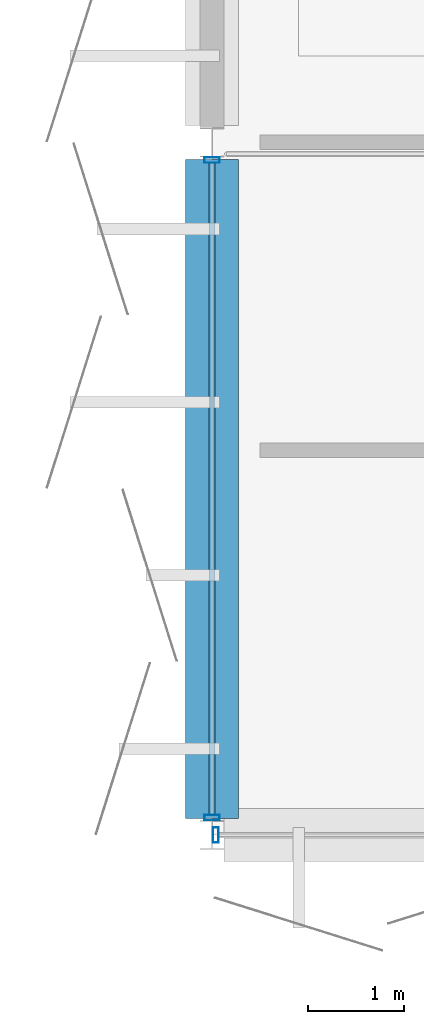
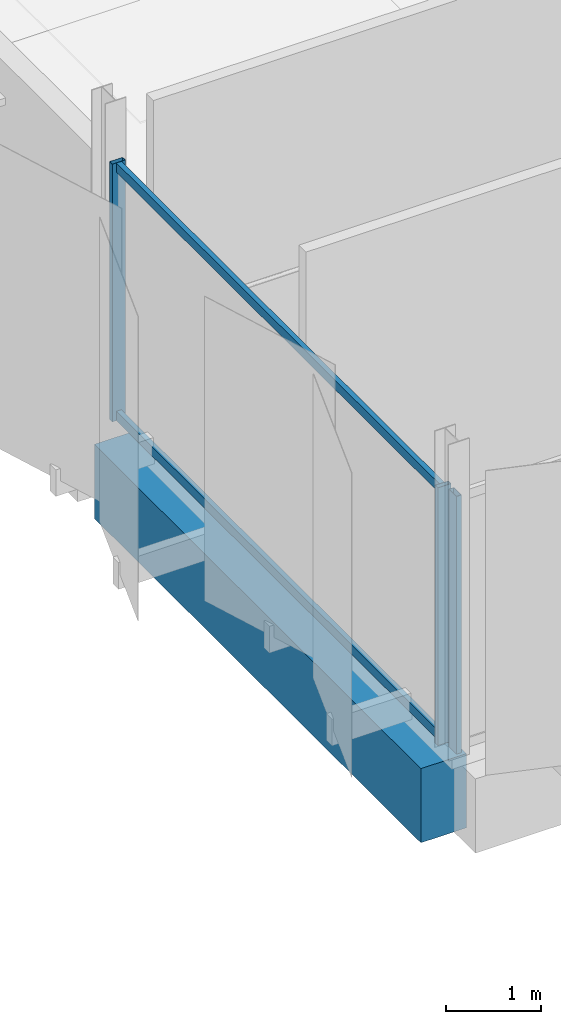
# One storey, part 21 of 77: 5 members, 1 beam, 2 elements without a shape of their own.
"""IFC4 building model written with IfcOpenShell, lengths in metres."""

from ifc_helpers import new_model, si_unit, direction, frame, origin, origin_2d, place, context, subcontext, project, spatial, rectangle, hollow_rectangle, extrude, material, layer, layer_set, material_profile, profile_set, type_object, element, aggregate, save


model = new_model("IFC4")

# Units and contexts
model_context = context("Model", 3, precision=1e-05, world=origin(), true_north=direction((0.0, 1.0)))
body_context = subcontext(model_context, "Body", "Model", "MODEL_VIEW")
ifc_project = project(units=[si_unit("LENGTHUNIT", "METRE"), si_unit("AREAUNIT", "SQUARE_METRE"), si_unit("VOLUMEUNIT", "CUBIC_METRE"), si_unit("PLANEANGLEUNIT", "RADIAN"), si_unit("MASSUNIT", "GRAM", prefix="KILO")], contexts=[model_context])

# Site, building, storey
site_placement = place(None, origin())
site = spatial("IfcSite", under=ifc_project, at=site_placement, CompositionType="ELEMENT")
building_placement = place(site_placement, origin())
building = spatial("IfcBuilding", under=site, at=building_placement, Name="Kangsadwip Square Police Headquarters", CompositionType="ELEMENT")
storey_placement = place(building_placement, frame((0.0, 0.0, 17.550048828125)))
storey = spatial("IfcBuildingStorey", under=building, at=storey_placement, Name="L04", CompositionType="ELEMENT", Elevation=17.550048828125)

# Curtain wall, member
ifc_material_1 = material(Name="Thermally broken anodised aluminium AW-6063-T6", Category="aluminium")
ifc_layer_1 = layer(ifc_material_1, 0.159912109375)
ifc_layer_set_1 = layer_set([ifc_layer_1], Name="Thermally broken anodised aluminium AW-6063-T6")
curtain_wall_type_1 = type_object("IfcCurtainWallType", Name="CourtScreen7180x3300", PredefinedType="USERDEFINED", material=ifc_layer_set_1)
curtain_wall_1_placement = place(storey_placement, origin())
curtain_wall_1 = element("IfcCurtainWall", 1, at=curtain_wall_1_placement, inside=storey, type_object=curtain_wall_type_1, Name="Curtain Wall CW-L04-0936-0936", ObjectType="GLAZED_SCREEN", PredefinedType="USERDEFINED")
ifc_material_2 = material(Name="Thermally broken anodised aluminium AW-6063-T6", Category="aluminium")
ifc_material_profile_1 = material_profile(ifc_material_2, hollow_rectangle(XDim=0.06005859375, YDim=0.159912109375, WallThickness=0.00390625, at=origin_2d()), Name="CWM 160X60X4")
ifc_profile_set_1 = profile_set([ifc_material_profile_1], Name="Thermally broken anodised aluminium AW-6063-T6")
member_type_1 = type_object("IfcMemberType", Name="CwMullion135x60", PredefinedType="MULLION", material=ifc_profile_set_1)
member_1_placement = place(storey_placement, frame((93.639892578125, 93.60009765625, 0.0), z_axis=(0.0, 0.0, 1.0), x_axis=(1.0, 0.0, 0.0)))
member_1 = element("IfcMember", 2, at=member_1_placement, type_object=member_type_1, Name="CW-42 mullion 1", PredefinedType="MULLION", context=body_context, shape_type="SweptSolid", body=[
    extrude(hollow_rectangle(XDim=0.06005859375, YDim=0.159912109375, WallThickness=0.00390625, at=origin_2d()), origin(), (0.0, 0.0, 1.0), 3.300048828125),
])
aggregate(curtain_wall_1, [member_1])

# Curtain wall, members
ifc_material_3 = material(Name="Thermally broken anodised aluminium AW-6063-T6", Category="aluminium")
ifc_layer_2 = layer(ifc_material_3, 0.159912109375)
ifc_layer_set_2 = layer_set([ifc_layer_2], Name="Thermally broken anodised aluminium AW-6063-T6")
curtain_wall_type_2 = type_object("IfcCurtainWallType", Name="CourtScreen6894x3300", PredefinedType="USERDEFINED", material=ifc_layer_set_2)
curtain_wall_2_placement = place(storey_placement, origin())
curtain_wall_2 = element("IfcCurtainWall", 3, at=curtain_wall_2_placement, inside=storey, type_object=curtain_wall_type_2, Name="Curtain Wall CW-L04-0936-0938", ObjectType="GLAZED_SCREEN", PredefinedType="USERDEFINED")
member_2_placement = place(storey_placement, frame((93.60009765625, 93.782958984375, 0.0), z_axis=(0.0, 0.0, 1.0), x_axis=(0.0, 1.0, 0.0)))
member_2 = element("IfcMember", 4, at=member_2_placement, type_object=member_type_1, Name="CW-47 mullion 1", PredefinedType="MULLION", context=body_context, shape_type="SweptSolid", body=[
    extrude(hollow_rectangle(XDim=0.06005859375, YDim=0.159912109375, WallThickness=0.00390625, at=origin_2d()), origin(), (0.0, 0.0, 1.0), 3.300048828125),
])
member_3_placement = place(storey_placement, frame((93.60009765625, 100.616943359375, 0.0), z_axis=(0.0, 0.0, 1.0), x_axis=(0.0, 1.0, 0.0)))
member_3 = element("IfcMember", 5, at=member_3_placement, type_object=member_type_1, Name="CW-47 mullion 2", PredefinedType="MULLION", context=body_context, shape_type="SweptSolid", body=[
    extrude(hollow_rectangle(XDim=0.06005859375, YDim=0.159912109375, WallThickness=0.00390625, at=origin_2d()), origin(), (0.0, 0.0, 1.0), 3.300048828125),
])
ifc_material_4 = material(Name="Thermally broken anodised aluminium AW-6063-T6", Category="aluminium")
ifc_material_profile_2 = material_profile(ifc_material_4, hollow_rectangle(XDim=0.06005859375, YDim=0.1201171875, WallThickness=0.00390625, at=origin_2d()), Name="CWT 120X60X4")
ifc_profile_set_2 = profile_set([ifc_material_profile_2], Name="Thermally broken anodised aluminium AW-6063-T6")
member_type_2 = type_object("IfcMemberType", Name="CwTransom120x55", PredefinedType="USERDEFINED", material=ifc_profile_set_2)
member_4_placement = place(storey_placement, frame((93.60009765625, 93.81298828125, 0.06005859375), z_axis=(0.0, 1.0, 0.0), x_axis=(-1.0, 0.0, 0.0)))
member_4 = element("IfcMember", 6, at=member_4_placement, type_object=member_type_2, Name="CW-47 transom 1.1", ObjectType="TRANSOM", PredefinedType="USERDEFINED", context=body_context, shape_type="SweptSolid", body=[
    extrude(hollow_rectangle(XDim=0.06005859375, YDim=0.1201171875, WallThickness=0.00390625, at=origin_2d()), origin(), (0.0, 0.0, 1.0), 6.77392578125),
])
member_5_placement = place(storey_placement, frame((93.60009765625, 93.81298828125, 3.239990234375), z_axis=(0.0, 1.0, 0.0), x_axis=(-1.0, 0.0, 0.0)))
member_5 = element("IfcMember", 7, at=member_5_placement, type_object=member_type_2, Name="CW-47 transom 1.2", ObjectType="TRANSOM", PredefinedType="USERDEFINED", context=body_context, shape_type="SweptSolid", body=[
    extrude(hollow_rectangle(XDim=0.06005859375, YDim=0.1201171875, WallThickness=0.00390625, at=origin_2d()), origin(), (0.0, 0.0, 1.0), 6.77392578125),
])
aggregate(curtain_wall_2, [member_2, member_3, member_4, member_5])

# Beam
ifc_material_5 = material(Name="Concrete M40 (40 MPa)", Category="concrete")
ifc_material_profile_3 = material_profile(ifc_material_5, rectangle(XDim=0.550048828125, YDim=0.949951171875, at=origin_2d()), Name="RC TG 950X550")
ifc_profile_set_3 = profile_set([ifc_material_profile_3], Name="Concrete M40 (40 MPa)")
beam_type = type_object("IfcBeamType", Name="RcTransfer950x550", PredefinedType="USERDEFINED", material=ifc_profile_set_3)
beam_placement = place(storey_placement, frame((93.60009765625, 93.77490234375, -0.715087890625), z_axis=(0.0, 1.0, 0.0), x_axis=(-1.0, 0.0, 0.0)))
element("IfcBeam", 8, at=beam_placement, inside=storey, type_object=beam_type, Name="Beam BM-L04-Y-13-13", ObjectType="TRANSFER_GIRDER", PredefinedType="USERDEFINED", context=body_context, shape_type="SweptSolid", body=[
    extrude(rectangle(XDim=0.550048828125, YDim=0.949951171875, at=origin_2d()), origin(), (0.0, 0.0, 1.0), 6.85009765625),
])

save(model, "model.ifc")
